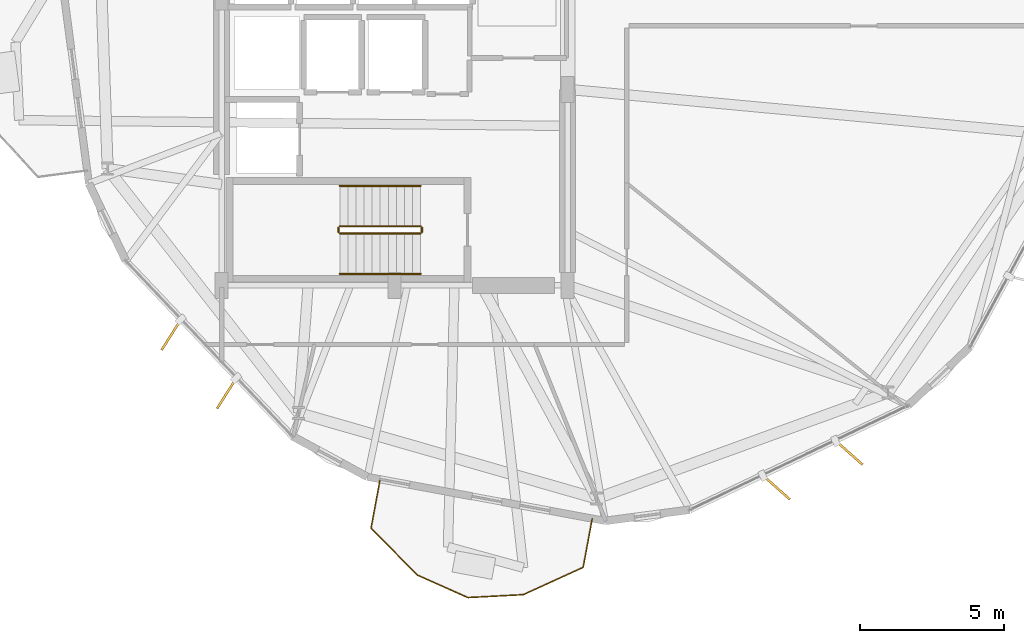
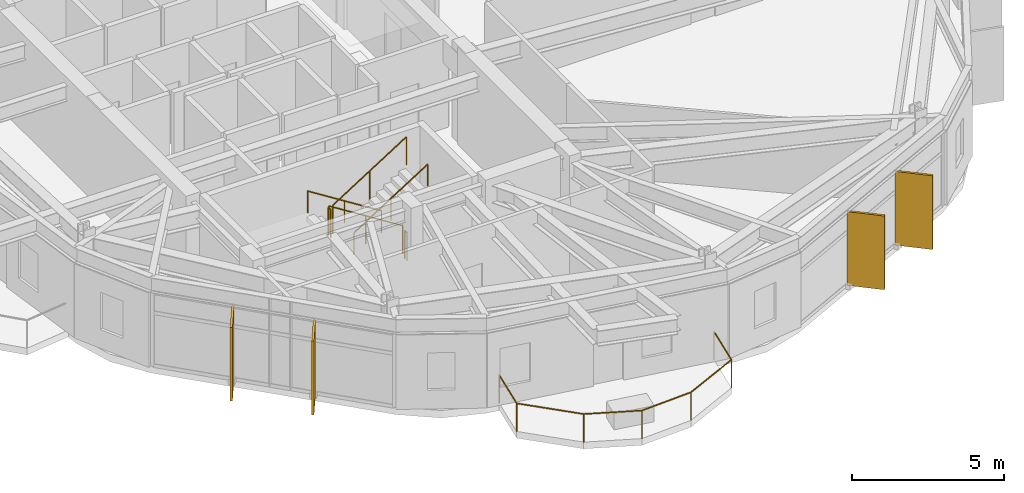
# One storey, part 23 of 25: 7 railings, 4 shading devices.
"""IFC4 building model written with IfcOpenShell, lengths in metres."""

from ifc_helpers import new_model, si_unit, direction, frame, origin, origin_2d, place, context, subcontext, project, spatial, rectangle, circle, extrude, material, layer, layer_set, type_object, element, save


model = new_model("IFC4")

# Units and contexts
model_context = context("Model", 3, precision=1e-05, world=origin(), true_north=direction((0.0, 1.0)))
body_context = subcontext(model_context, "Body", "Model", "MODEL_VIEW")
ifc_project = project(units=[si_unit("LENGTHUNIT", "METRE"), si_unit("AREAUNIT", "SQUARE_METRE"), si_unit("VOLUMEUNIT", "CUBIC_METRE"), si_unit("PLANEANGLEUNIT", "RADIAN"), si_unit("MASSUNIT", "GRAM", prefix="KILO")], contexts=[model_context])

# Site, building, storey
site_placement = place(None, origin())
site = spatial("IfcSite", under=ifc_project, at=site_placement, CompositionType="ELEMENT")
building_placement = place(site_placement, origin())
building = spatial("IfcBuilding", under=site, at=building_placement, Name="Soratama Intermodal Tower", CompositionType="ELEMENT")
storey_placement = place(building_placement, frame((0.0, 0.0, 126.39990234375)))
storey = spatial("IfcBuildingStorey", under=building, at=storey_placement, Name="L30", CompositionType="ELEMENT", Elevation=126.39990234375)

# Railings
ifc_material_1 = material(Name="Laminated glass and stainless steel balustrade", Category="steel")
railing_type_1 = type_object("IfcRailingType", Name="RL-BAL-1150", PredefinedType="BALUSTRADE", material=ifc_material_1)
railing_1_placement = place(storey_placement, frame((45.453369140625, 6.91357421875, 0.0)))
element("IfcRailing", 1, at=railing_1_placement, inside=storey, type_object=railing_type_1, Name="L30 Balcony Balustrade 3", PredefinedType="BALUSTRADE", context=body_context, shape_type="SweptSolid", body=[
    extrude(circle(Radius=0.02392578125, at=origin_2d()), frame((0.0, 0.0, 1.1259765625), z_axis=(-0.182256993245, -0.983250928509, 0.0), x_axis=(0.983250928509, -0.182256993245, 0.0)), (0.0, 0.0, 1.0), 1.719970703125),
    extrude(circle(Radius=0.02392578125, at=origin_2d()), frame((-0.3134765625, -1.691162109375, 1.1259765625), z_axis=(-0.909842407245, -0.414953966095, 0.0), x_axis=(0.414953966095, -0.909842407245, 0.0)), (0.0, 0.0, 1.0), 2.28466796875),
    extrude(circle(Radius=0.02392578125, at=origin_2d()), frame((-2.39208984375, -2.63916015625, 1.1259765625), z_axis=(-0.998632165449, -0.052285735438, 0.0), x_axis=(0.052285735438, -0.998632165449, 0.0)), (0.0, 0.0, 1.0), 1.923828125),
    extrude(circle(Radius=0.02392578125, at=origin_2d()), frame((-4.313232421875, -2.73974609375, 1.1259765625), z_axis=(-0.913575937335, 0.406668177661, 0.0), x_axis=(-0.406668177661, -0.913575937335, 0.0)), (0.0, 0.0, 1.0), 1.924072265625),
    extrude(circle(Radius=0.02392578125, at=origin_2d()), frame((-6.071044921875, -1.957275390625, 1.1259765625), z_axis=(-0.700665271007, 0.713490138688, 0.0), x_axis=(-0.713490138688, -0.700665271007, 0.0)), (0.0, 0.0, 1.0), 2.284423828125),
    extrude(circle(Radius=0.02392578125, at=origin_2d()), frame((-7.671630859375, -0.327392578125, 1.1259765625), z_axis=(0.182256993245, 0.983250928509, 0.0), x_axis=(-0.983250928509, 0.182256993245, 0.0)), (0.0, 0.0, 1.0), 1.719970703125),
    extrude(circle(Radius=0.02099609375, at=origin_2d()), origin(), (0.0, 0.0, 1.0), 1.101806640625),
    extrude(circle(Radius=0.02099609375, at=origin_2d()), frame((-0.3134765625, -1.691162109375, 0.0)), (0.0, 0.0, 1.0), 1.101806640625),
    extrude(circle(Radius=0.02099609375, at=origin_2d()), frame((-2.39208984375, -2.63916015625, 0.0)), (0.0, 0.0, 1.0), 1.101806640625),
    extrude(circle(Radius=0.02099609375, at=origin_2d()), frame((-4.313232421875, -2.73974609375, 0.0)), (0.0, 0.0, 1.0), 1.101806640625),
    extrude(circle(Radius=0.02099609375, at=origin_2d()), frame((-6.071044921875, -1.957275390625, 0.0)), (0.0, 0.0, 1.0), 1.101806640625),
    extrude(circle(Radius=0.02099609375, at=origin_2d()), frame((-7.671630859375, -0.327392578125, 0.0)), (0.0, 0.0, 1.0), 1.101806640625),
    extrude(circle(Radius=0.02099609375, at=origin_2d()), frame((-7.358154296875, 1.36376953125, 0.0)), (0.0, 0.0, 1.0), 1.101806640625),
])
ifc_material_2 = material(Name="Painted steel stair guardrail", Category="steel")
railing_type_2 = type_object("IfcRailingType", Name="RL-STAIR-GUARD", PredefinedType="GUARDRAIL", material=ifc_material_2)
railing_2_placement = place(storey_placement, frame((39.5, 17.050048828125, 0.177490234375)))
element("IfcRailing", 2, at=railing_2_placement, inside=storey, type_object=railing_type_2, Name="L30 ST-1 stair guard 1", PredefinedType="GUARDRAIL", context=body_context, shape_type="SweptSolid", body=[
    extrude(circle(Radius=0.02392578125, at=origin_2d()), frame((0.0, 0.0, 1.1259765625), z_axis=(-0.844908973607, 0.0, 0.534910110503), x_axis=(0.0, -1.0, 0.0)), (0.0, 0.0, 1.0), 3.31396484375),
    extrude(circle(Radius=0.02099609375, at=origin_2d()), origin(), (0.0, 0.0, 1.0), 1.101806640625),
    extrude(circle(Radius=0.02099609375, at=origin_2d()), frame((-1.39990234375, 0.0, 0.88623046875)), (0.0, 0.0, 1.0), 1.101806640625),
    extrude(circle(Radius=0.02099609375, at=origin_2d()), frame((-2.800048828125, 0.0, 1.772705078125)), (0.0, 0.0, 1.0), 1.101806640625),
])
railing_3_placement = place(storey_placement, frame((36.64990234375, 17.0, 1.9501953125)))
element("IfcRailing", 3, at=railing_3_placement, inside=storey, type_object=railing_type_2, Name="L30 ST-1 stair guard 2", PredefinedType="GUARDRAIL", context=body_context, shape_type="SweptSolid", body=[
    extrude(circle(Radius=0.02392578125, at=origin_2d()), frame((0.0, 0.0, 1.1259765625), z_axis=(0.0, -1.0, 0.0), x_axis=(1.0, 0.0, 0.0)), (0.0, 0.0, 1.0), 0.14990234375),
    extrude(circle(Radius=0.02099609375, at=origin_2d()), origin(), (0.0, 0.0, 1.0), 1.101806640625),
    extrude(circle(Radius=0.02099609375, at=origin_2d()), frame((0.0, -0.14990234375, 0.0)), (0.0, 0.0, 1.0), 1.101806640625),
])
railing_4_placement = place(storey_placement, frame((36.699951171875, 16.800048828125, 2.12744140625)))
element("IfcRailing", 4, at=railing_4_placement, inside=storey, type_object=railing_type_2, Name="L30 ST-1 stair guard 3", PredefinedType="GUARDRAIL", context=body_context, shape_type="SweptSolid", body=[
    extrude(circle(Radius=0.02392578125, at=origin_2d()), frame((0.0, 0.0, 1.1259765625), z_axis=(0.844908973607, 0.0, 0.534910110503), x_axis=(0.0, 1.0, 0.0)), (0.0, 0.0, 1.0), 3.31396484375),
    extrude(circle(Radius=0.02099609375, at=origin_2d()), origin(), (0.0, 0.0, 1.0), 1.101806640625),
    extrude(circle(Radius=0.02099609375, at=origin_2d()), frame((1.39990234375, 0.0, 0.88623046875)), (0.0, 0.0, 1.0), 1.101806640625),
    extrude(circle(Radius=0.02099609375, at=origin_2d()), frame((2.800048828125, 0.0, 1.772705078125)), (0.0, 0.0, 1.0), 1.101806640625),
])
railing_5_placement = place(storey_placement, frame((39.550048828125, 17.0, 0.0)))
element("IfcRailing", 5, at=railing_5_placement, inside=storey, type_object=railing_type_2, Name="L30 ST-1 stair guard 4", PredefinedType="GUARDRAIL", context=body_context, shape_type="SweptSolid", body=[
    extrude(circle(Radius=0.02392578125, at=origin_2d()), frame((0.0, 0.0, 1.1259765625), z_axis=(0.0, -1.0, 0.0), x_axis=(1.0, 0.0, 0.0)), (0.0, 0.0, 1.0), 0.14990234375),
    extrude(circle(Radius=0.02099609375, at=origin_2d()), origin(), (0.0, 0.0, 1.0), 1.101806640625),
    extrude(circle(Radius=0.02099609375, at=origin_2d()), frame((0.0, -0.14990234375, 0.0)), (0.0, 0.0, 1.0), 1.101806640625),
])
ifc_material_3 = material(Name="Brushed stainless steel handrail", Category="steel")
railing_type_3 = type_object("IfcRailingType", Name="RL-STAIR-HAND", PredefinedType="HANDRAIL", material=ifc_material_3)
railing_6_placement = place(storey_placement, frame((39.5, 18.449951171875, 0.177490234375)))
element("IfcRailing", 6, at=railing_6_placement, inside=storey, type_object=railing_type_3, Name="L30 ST-1 stair handrail 1", PredefinedType="HANDRAIL", context=body_context, shape_type="SweptSolid", body=[
    extrude(circle(Radius=0.02392578125, at=origin_2d()), frame((0.0, 0.0, 0.8759765625), z_axis=(-0.844908973607, 0.0, 0.534910110503), x_axis=(0.0, -1.0, 0.0)), (0.0, 0.0, 1.0), 3.31396484375),
    extrude(circle(Radius=0.02099609375, at=origin_2d()), origin(), (0.0, 0.0, 1.0), 0.851806640625),
    extrude(circle(Radius=0.02099609375, at=origin_2d()), frame((-1.39990234375, 0.0, 0.88623046875)), (0.0, 0.0, 1.0), 0.851806640625),
    extrude(circle(Radius=0.02099609375, at=origin_2d()), frame((-2.800048828125, 0.0, 1.772705078125)), (0.0, 0.0, 1.0), 0.851806640625),
])
railing_7_placement = place(storey_placement, frame((36.699951171875, 15.39990234375, 2.12744140625)))
element("IfcRailing", 7, at=railing_7_placement, inside=storey, type_object=railing_type_3, Name="L30 ST-1 stair handrail 2", PredefinedType="HANDRAIL", context=body_context, shape_type="SweptSolid", body=[
    extrude(circle(Radius=0.02392578125, at=origin_2d()), frame((0.0, 0.0, 0.8759765625), z_axis=(0.844908973607, 0.0, 0.534910110503), x_axis=(0.0, 1.0, 0.0)), (0.0, 0.0, 1.0), 3.31396484375),
    extrude(circle(Radius=0.02099609375, at=origin_2d()), origin(), (0.0, 0.0, 1.0), 0.851806640625),
    extrude(circle(Radius=0.02099609375, at=origin_2d()), frame((1.39990234375, 0.0, 0.88623046875)), (0.0, 0.0, 1.0), 0.851806640625),
    extrude(circle(Radius=0.02099609375, at=origin_2d()), frame((2.800048828125, 0.0, 1.772705078125)), (0.0, 0.0, 1.0), 0.851806640625),
])

# Shading devices
ifc_material_4 = material(Name="Champagne anodised aluminium solar fin", Category="aluminium")
ifc_layer = layer(ifc_material_4, 0.080078125)
ifc_layer_set = layer_set([ifc_layer], Name="Champagne anodised aluminium solar fin")
shading_device_type = type_object("IfcShadingDeviceType", Name="SH-FIN-1250", PredefinedType="USERDEFINED", material=ifc_layer_set)
for number, where, z_axis, x_axis, name in (
    (8, (30.852783203125, 13.284423828125, 0.02001953125), (0.0, 0.0, 1.0), (-0.535679423796, -0.84442143206, 0.0), "L30 Solar Fin F06-1"),
    (9, (32.776611328125, 11.25732421875, 0.02001953125), (0.0, 0.0, 1.0), (-0.535679423796, -0.84442143206, 0.0), "L30 Solar Fin F06-2"),
    (10, (51.841064453125, 7.992919921875, 0.02001953125), (0.0, 0.0, 1.0), (0.746870345992, -0.664969688239, 0.0), "L30 Solar Fin F08-1"),
    (11, (54.36328125, 9.196044921875, 0.02001953125), (0.0, 0.0, 1.0), (0.746870345992, -0.664969688239, 0.0), "L30 Solar Fin F08-2"),
):
    element("IfcShadingDevice", number, at=place(storey_placement, frame(where, z_axis=z_axis, x_axis=x_axis)), inside=storey, type_object=shading_device_type, Name=name, ObjectType="FIN", PredefinedType="USERDEFINED", context=body_context, shape_type="SweptSolid", body=[
        extrude(rectangle(XDim=1.25, YDim=0.080078125, at=origin_2d()), origin(), (0.0, 0.0, 1.0), 2.958984375),
    ])

save(model, "model.ifc")
